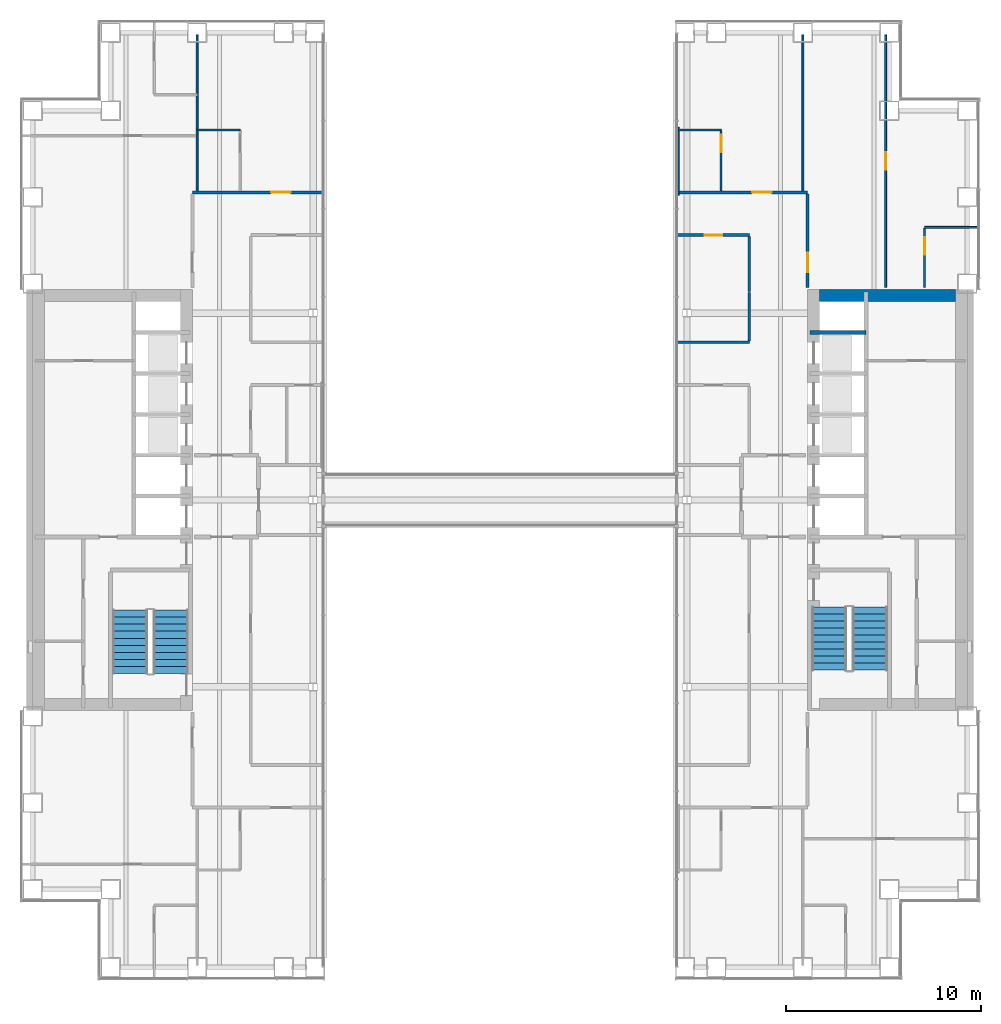
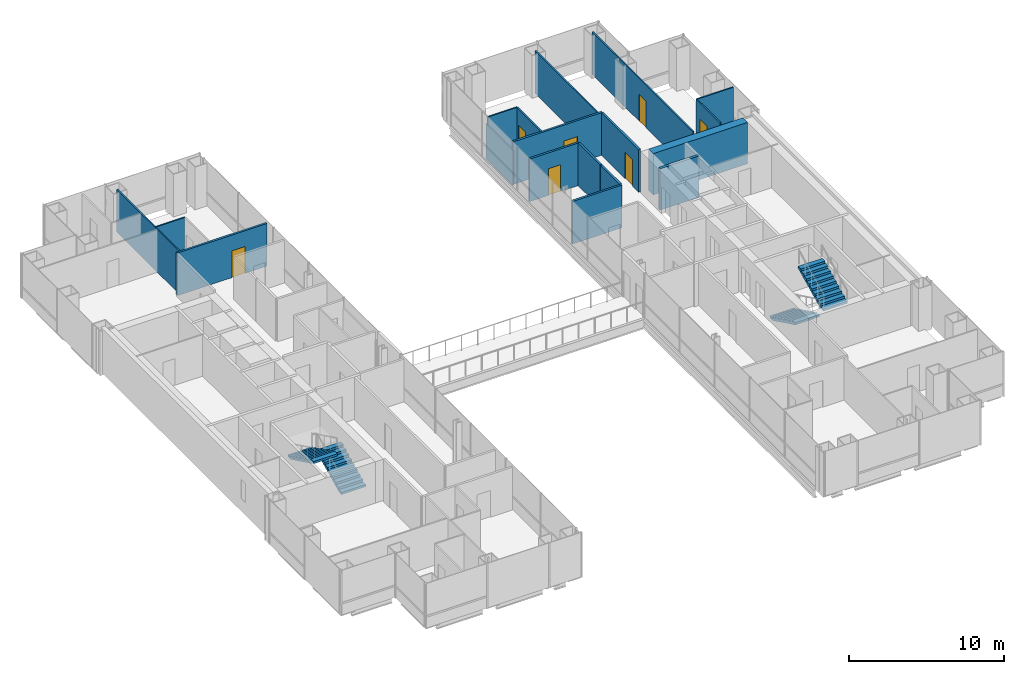
# One storey, part 16 of 18: 18 walls, 7 doors, 4 stair flights, 7 openings, 2 elements without a shape of their own.
"""IFC4 building model written with IfcOpenShell, lengths in metres."""

import ifcopenshell
import ifcopenshell.guid

model = None  # the IFC model being written
_history = None  # IfcOwnerHistory: only IFC2X3 demands one
_inside = {}  # id of a spatial element -> (the spatial element, [elements in it])
_under = {}  # id of a project, library or spatial element -> (it, [spatial elements below it])
_declared = {}  # id of a project -> (the project, [libraries it declares])
_typed = {}  # id of a type object -> (the type object, [elements of that type])
_made_of = {}  # id of a material, layer set ... -> (it, [elements and type objects made of it])


def new_model(schema):
    """Start an empty IFC model of exactly this schema.

    Asked for "IFC4X3", IfcOpenShell would pick the latest addendum, in which some entities
    have other attributes; the version numbers below select the first issue.
    IFC2X3 requires an IfcOwnerHistory on every rooted entity: one is made here for all.
    """
    global model, _history
    if schema == "IFC4X3":
        model = ifcopenshell.file(schema_version=(4, 3, 0, 0))
    else:
        model = ifcopenshell.file(schema=schema)
    _inside.clear()
    _under.clear()
    _declared.clear()
    _typed.clear()
    _made_of.clear()
    _history = None
    if model.schema == "IFC2X3":
        org = make("IfcOrganization", Name="unknown")
        user = make(
            "IfcPersonAndOrganization",
            ThePerson=make("IfcPerson", FamilyName="unknown"),
            TheOrganization=org,
        )
        app = make(
            "IfcApplication",
            ApplicationDeveloper=org,
            Version="unknown",
            ApplicationFullName="unknown",
            ApplicationIdentifier="unknown",
        )
        _history = make(
            "IfcOwnerHistory",
            OwningUser=user,
            OwningApplication=app,
            ChangeAction="ADDED",
            CreationDate=0,
        )
    return model


def make(cls, **values):
    """One entity of the class cls with the attributes given. An attribute that is None is left unset."""
    return model.create_entity(
        cls, **{name: value for name, value in values.items() if value is not None}
    )


def rooted(cls, **values):
    """An entity with a GlobalId (a new one), such as an element, a storey or a relation."""
    return make(cls, GlobalId=ifcopenshell.guid.new(), OwnerHistory=_history, **values)


def si_unit(unit_type, name, prefix=None):
    """IfcSIUnit, for example si_unit("LENGTHUNIT", "METRE", prefix="MILLI")."""
    return make("IfcSIUnit", UnitType=unit_type, Prefix=prefix, Name=name)


def assignment(units):
    """IfcUnitAssignment: the units of a project."""
    return None if units is None else make("IfcUnitAssignment", Units=units)


def point(xyz):
    """IfcCartesianPoint."""
    return None if xyz is None else make("IfcCartesianPoint", Coordinates=xyz)


def direction(xyz):
    """IfcDirection."""
    return None if xyz is None else make("IfcDirection", DirectionRatios=xyz)


def frame(location, z_axis=None, x_axis=None):
    """IfcAxis2Placement3D, a coordinate frame: its origin and axes. An axis left out is left unset."""
    return make(
        "IfcAxis2Placement3D",
        Location=point(location),
        Axis=direction(z_axis),
        RefDirection=direction(x_axis),
    )


def frame_2d(location, x_axis=None):
    """IfcAxis2Placement2D, a coordinate frame in the plane: its origin and x axis."""
    return make(
        "IfcAxis2Placement2D", Location=point(location), RefDirection=direction(x_axis)
    )


def origin():
    """The frame at (0, 0, 0) with its axes left unset."""
    return frame((0.0, 0.0, 0.0))


def place(relative_to, where):
    """IfcLocalPlacement: puts the frame where relative to a parent placement (None: the world)."""
    return make(
        "IfcLocalPlacement", PlacementRelTo=relative_to, RelativePlacement=where
    )


def context(
    kind, dimensions, precision=None, world=None, true_north=None, identifier=None
):
    """IfcGeometricRepresentationContext, for example the 3D "Model" context."""
    return make(
        "IfcGeometricRepresentationContext",
        ContextIdentifier=identifier,
        ContextType=kind,
        CoordinateSpaceDimension=dimensions,
        Precision=precision,
        WorldCoordinateSystem=world,
        TrueNorth=true_north,
    )


def subcontext(parent, identifier, kind, view, scale=None):
    """IfcGeometricRepresentationSubContext, for example "Body" below "Model"."""
    return make(
        "IfcGeometricRepresentationSubContext",
        ContextIdentifier=identifier,
        ContextType=kind,
        ParentContext=parent,
        TargetScale=scale,
        TargetView=view,
    )


def project(units=None, contexts=None):
    """IfcProject with its units and contexts."""
    return rooted(
        "IfcProject",
        Name="project",
        RepresentationContexts=contexts,
        UnitsInContext=assignment(units),
    )


def spatial(cls, under=None, at=None, **own):
    """A site, building, storey or space (cls), placed at a placement, below another one or the project."""
    s = rooted(cls, ObjectPlacement=at, **own)
    if under is not None:
        _under.setdefault(under.id(), (under, []))[1].append(s)
    return s


def polyline(points):
    """IfcPolyline through the points."""
    return make("IfcPolyline", Points=[point(p) for p in points])


def profile(cls, at=None, kind="AREA", **sizes):
    """A parametric profile (cls). Its sizes go by their IFC names, for example OverallWidth=200.0."""
    return make(cls, ProfileType=kind, Position=at, **sizes)


def rectangle(**sizes):
    """IfcRectangleProfileDef."""
    return profile("IfcRectangleProfileDef", **sizes)


def outline(outer, holes=None, kind="AREA"):
    """IfcArbitraryClosedProfileDef: a profile drawn as a closed curve; with holes, ...WithVoids."""
    if holes is None:
        return make("IfcArbitraryClosedProfileDef", ProfileType=kind, OuterCurve=outer)
    return make(
        "IfcArbitraryProfileDefWithVoids",
        ProfileType=kind,
        OuterCurve=outer,
        InnerCurves=holes,
    )


def extrude(swept, where, along, depth):
    """IfcExtrudedAreaSolid: the profile swept, set in the frame where, extruded along a direction by depth."""
    return make(
        "IfcExtrudedAreaSolid",
        SweptArea=swept,
        Position=where,
        ExtrudedDirection=direction(along),
        Depth=depth,
    )


def shape(context_of_items, identifier, shape_type, items):
    """IfcShapeRepresentation: the items that make up one representation, for example the "Body"."""
    return make(
        "IfcShapeRepresentation",
        ContextOfItems=context_of_items,
        RepresentationIdentifier=identifier,
        RepresentationType=shape_type,
        Items=items,
    )


def material(Name=None, Category=None):
    """IfcMaterial."""
    return make("IfcMaterial", Name=Name, Category=Category)


def layer(
    of_material, thickness, ventilated=None, Name=None, Category=None, Priority=None
):
    """IfcMaterialLayer: one layer of a wall or slab, of a material (None: an air gap)."""
    return make(
        "IfcMaterialLayer",
        Material=of_material,
        LayerThickness=thickness,
        IsVentilated=ventilated,
        Name=Name,
        Category=Category,
        Priority=Priority,
    )


def layer_set(layers, Name=None):
    """IfcMaterialLayerSet."""
    return make("IfcMaterialLayerSet", MaterialLayers=layers, LayerSetName=Name)


def made_of(thing, what):
    """Note that an element or type object is made of a material, layer set ...; save() writes the relation."""
    if what is not None:
        _made_of.setdefault(what.id(), (what, []))[1].append(thing)
    return thing


def type_object(cls, material=None, **own):
    """A type object (cls), such as IfcWallType, which elements share."""
    return made_of(rooted(cls, **own), material)


def element(
    cls,
    number,
    at=None,
    inside=None,
    cuts=None,
    type_object=None,
    material=None,
    context=None,
    identifier="Body",
    shape_type=None,
    held_by="IfcProductDefinitionShape",
    body=None,
    shapes=None,
    **own,
):
    """One element of the class cls, such as IfcWall. Its Tag is "e" and its number.

    at: its placement. inside: the storey or other place that contains it. cuts: it is an
    opening in that element (IfcRelVoidsElement). A single representation is given by context,
    identifier, shape_type and body (its items); several are given by shapes. held_by: the class
    of the entity that holds the representations. save() writes the other relations.
    """
    e = rooted(cls, Tag="e%d" % number, ObjectPlacement=at, **own)
    if body is not None:
        shapes = [shape(context, identifier, shape_type, body)]
    if shapes is not None:
        e.Representation = make(held_by, Representations=shapes)
    if inside is not None:
        _inside.setdefault(inside.id(), (inside, []))[1].append(e)
    if cuts is not None:
        rooted(
            "IfcRelVoidsElement", RelatingBuildingElement=cuts, RelatedOpeningElement=e
        )
    if type_object is not None:
        _typed.setdefault(type_object.id(), (type_object, []))[1].append(e)
    return made_of(e, material)


def fill(opening, filler):
    """IfcRelFillsElement: the door or window that sits in an opening."""
    return rooted(
        "IfcRelFillsElement",
        RelatingOpeningElement=opening,
        RelatedBuildingElement=filler,
    )


def aggregate(whole, parts):
    """IfcRelAggregates: a whole, such as a stair, and the parts it consists of."""
    return rooted("IfcRelAggregates", RelatingObject=whole, RelatedObjects=parts)


def save(model, path):
    """Write the relations noted so far, then the file.

    IfcRelAggregates (storeys below a building ...), IfcRelContainedInSpatialStructure (elements
    in a storey), IfcRelDefinesByType, IfcRelAssociatesMaterial and IfcRelDeclares: one each for
    every whole, place, type object, material and project.
    """
    for whole, parts in _under.values():
        aggregate(whole, parts)
    for where, things in _inside.values():
        rooted(
            "IfcRelContainedInSpatialStructure",
            RelatedElements=things,
            RelatingStructure=where,
        )
    for kind, things in _typed.values():
        rooted("IfcRelDefinesByType", RelatedObjects=things, RelatingType=kind)
    for what, things in _made_of.values():
        rooted("IfcRelAssociatesMaterial", RelatedObjects=things, RelatingMaterial=what)
    for by, libraries in _declared.values():
        rooted("IfcRelDeclares", RelatingContext=by, RelatedDefinitions=libraries)
    model.write(path)


model = new_model("IFC4")

# Units and contexts
model_context = context("Model", 3, precision=1e-05, world=origin(), true_north=direction((0.0, 1.0)))
body_context = subcontext(model_context, "Body", "Model", "MODEL_VIEW")
ifc_project = project(units=[si_unit("LENGTHUNIT", "METRE"), si_unit("AREAUNIT", "SQUARE_METRE"), si_unit("VOLUMEUNIT", "CUBIC_METRE"), si_unit("PLANEANGLEUNIT", "RADIAN"), si_unit("MASSUNIT", "GRAM", prefix="KILO")], contexts=[model_context])

# Site, building, storey
site_placement = place(None, origin())
site = spatial("IfcSite", under=ifc_project, at=site_placement, CompositionType="ELEMENT")
building_placement = place(site_placement, origin())
building = spatial("IfcBuilding", under=site, at=building_placement, Name="Cobrizo Arcos Hotel Tower", CompositionType="ELEMENT")
storey_placement = place(building_placement, frame((0.0, 0.0, 77.5)))
storey = spatial("IfcBuildingStorey", under=building, at=storey_placement, Name="L18", CompositionType="ELEMENT", Elevation=77.5)

# Wall
ifc_material_1 = material(Name="Gypsum board partition")
ifc_layer_1 = layer(ifc_material_1, 0.14990234375)
ifc_layer_set_1 = layer_set([ifc_layer_1], Name="Corridor wall EI 60 150")
wall_type_1 = type_object("IfcWallType", Name="Corridor wall EI 60 150", PredefinedType="PARTITIONING", material=ifc_layer_set_1)
wall_1_placement = place(storey_placement, frame((9.1201171875, 8.10009765625, 0.0), z_axis=(0.0, 0.0, 1.0), x_axis=(1.0, 0.0, 0.0)))
element("IfcWall", 1, at=wall_1_placement, inside=storey, type_object=wall_type_1, Name="Partition 038", PredefinedType="PARTITIONING", context=body_context, shape_type="SweptSolid", body=[
    extrude(rectangle(XDim=3.679931640625, YDim=0.14990234375, at=frame_2d((1.83984375, 0.0))), origin(), (0.0, 0.0, 1.0), 3.35009765625),
])

# Wall, opening, door
wall_2_placement = place(storey_placement, frame((9.1201171875, 13.60009765625, 0.0), z_axis=(0.0, 0.0, 1.0), x_axis=(1.0, 0.0, 0.0)))
wall_2 = element("IfcWall", 2, at=wall_2_placement, inside=storey, type_object=wall_type_1, Name="Partition 042", PredefinedType="PARTITIONING", context=body_context, shape_type="SweptSolid", body=[
    extrude(rectangle(XDim=3.679931640625, YDim=0.14990234375, at=frame_2d((1.83984375, 0.0))), origin(), (0.0, 0.0, 1.0), 3.35009765625),
])
opening_1_placement = place(wall_2_placement, frame((1.405029296875, 0.0, 0.0)))
opening_1 = element("IfcOpeningElement", 3, at=opening_1_placement, cuts=wall_2, Name="Opening RD-14", PredefinedType="OPENING", context=body_context, shape_type="SweptSolid", body=[
    extrude(rectangle(XDim=0.89990234375, YDim=2.10009765625, at=frame_2d((0.449951171875, 1.050048828125))), frame((0.0, 0.0869140625, 0.0), z_axis=(0.0, -1.0, 0.0), x_axis=(1.0, 0.0, 0.0)), (0.0, 0.0, 1.0), 0.173828125),
])
ifc_material_2 = material(Name="Timber door leaf", Category="wood")
door_type_1 = type_object("IfcDoorType", Name="Room door FD30 900x2100", OperationType="SINGLE_SWING_LEFT", PredefinedType="DOOR", material=ifc_material_2)
door_1_placement = place(opening_1_placement, origin())
door_1 = element("IfcDoor", 4, at=door_1_placement, inside=storey, type_object=door_type_1, Name="Door RD-14", OperationType="SINGLE_SWING_LEFT", OverallHeight=2.10009765625, OverallWidth=0.89990234375, PredefinedType="DOOR", context=body_context, shape_type="SweptSolid", body=[
    extrude(rectangle(XDim=0.89990234375, YDim=2.10009765625, at=frame_2d((0.449951171875, 1.050048828125))), frame((0.0, 0.02490234375, 0.0), z_axis=(0.0, -1.0, 0.0), x_axis=(1.0, 0.0, 0.0)), (0.0, 0.0, 1.0), 0.050048828125),
])
fill(opening_1, door_1)

wall_3_placement = place(storey_placement, frame((-15.800048828125, 15.800048828125, 0.0), z_axis=(0.0, 0.0, 1.0), x_axis=(1.0, 0.0, 0.0)))
wall_3 = element("IfcWall", 5, at=wall_3_placement, inside=storey, type_object=wall_type_1, Name="Partition 044", PredefinedType="PARTITIONING", context=body_context, shape_type="SweptSolid", body=[
    extrude(rectangle(XDim=6.679931640625, YDim=0.14990234375, at=frame_2d((3.33984375, 0.0))), origin(), (0.0, 0.0, 1.0), 3.35009765625),
])
opening_2_placement = place(wall_3_placement, frame((4.047119140625, 0.0, 0.0)))
opening_2 = element("IfcOpeningElement", 6, at=opening_2_placement, cuts=wall_3, Name="Opening GD-02", PredefinedType="OPENING", context=body_context, shape_type="SweptSolid", body=[
    extrude(rectangle(XDim=1.0, YDim=2.10009765625, at=frame_2d((0.5, 1.050048828125))), frame((0.0, 0.0869140625, 0.0), z_axis=(0.0, -1.0, 0.0), x_axis=(1.0, 0.0, 0.0)), (0.0, 0.0, 1.0), 0.173828125),
])
door_type_2 = type_object("IfcDoorType", Name="Guest room door FD30S 1000x2100", OperationType="SINGLE_SWING_LEFT", PredefinedType="DOOR", material=ifc_material_2)
door_2_placement = place(opening_2_placement, origin())
door_2 = element("IfcDoor", 7, at=door_2_placement, inside=storey, type_object=door_type_2, Name="Door GD-02", OperationType="SINGLE_SWING_LEFT", OverallHeight=2.10009765625, OverallWidth=1.0, PredefinedType="DOOR", context=body_context, shape_type="SweptSolid", body=[
    extrude(rectangle(XDim=1.0, YDim=2.10009765625, at=frame_2d((0.5, 1.050048828125))), frame((0.0, 0.02490234375, 0.0), z_axis=(0.0, -1.0, 0.0), x_axis=(1.0, 0.0, 0.0)), (0.0, 0.0, 1.0), 0.050048828125),
])
fill(opening_2, door_2)

wall_4_placement = place(storey_placement, frame((9.14990234375, 15.800048828125, 0.0), z_axis=(0.0, 0.0, 1.0), x_axis=(1.0, 0.0, 0.0)))
wall_4 = element("IfcWall", 8, at=wall_4_placement, inside=storey, type_object=wall_type_1, Name="Partition 045", PredefinedType="PARTITIONING", context=body_context, shape_type="SweptSolid", body=[
    extrude(rectangle(XDim=6.650146484375, YDim=0.14990234375, at=frame_2d((3.3251953125, 0.0))), origin(), (0.0, 0.0, 1.0), 3.35009765625),
])
opening_3_placement = place(wall_4_placement, frame((3.802978515625, 0.0, 0.0)))
opening_3 = element("IfcOpeningElement", 9, at=opening_3_placement, cuts=wall_4, Name="Opening GD-01", PredefinedType="OPENING", context=body_context, shape_type="SweptSolid", body=[
    extrude(rectangle(XDim=1.0, YDim=2.10009765625, at=frame_2d((0.5, 1.050048828125))), frame((0.0, 0.0869140625, 0.0), z_axis=(0.0, -1.0, 0.0), x_axis=(1.0, 0.0, 0.0)), (0.0, 0.0, 1.0), 0.173828125),
])
door_3_placement = place(opening_3_placement, origin())
door_3 = element("IfcDoor", 10, at=door_3_placement, inside=storey, type_object=door_type_2, Name="Door GD-01", OperationType="SINGLE_SWING_LEFT", OverallHeight=2.10009765625, OverallWidth=1.0, PredefinedType="DOOR", context=body_context, shape_type="SweptSolid", body=[
    extrude(rectangle(XDim=1.0, YDim=2.10009765625, at=frame_2d((0.5, 1.050048828125))), frame((0.0, 0.02490234375, 0.0), z_axis=(0.0, -1.0, 0.0), x_axis=(1.0, 0.0, 0.0)), (0.0, 0.0, 1.0), 0.050048828125),
])
fill(opening_3, door_3)

# Walls
wall_5_placement = place(storey_placement, frame((12.800048828125, 8.175048828125, 0.0), z_axis=(0.0, 0.0, 1.0), x_axis=(0.0, 1.0, 0.0)))
element("IfcWall", 11, at=wall_5_placement, inside=storey, type_object=wall_type_1, Name="Partition 075", PredefinedType="PARTITIONING", context=body_context, shape_type="SweptSolid", body=[
    extrude(rectangle(XDim=2.474853515625, YDim=0.14990234375, at=frame_2d((1.2373046875, 0.0))), origin(), (0.0, 0.0, 1.0), 3.35009765625),
])
wall_6_placement = place(storey_placement, frame((12.800048828125, 10.699951171875, 0.0), z_axis=(0.0, 0.0, 1.0), x_axis=(0.0, 1.0, 0.0)))
element("IfcWall", 12, at=wall_6_placement, inside=storey, type_object=wall_type_1, Name="Partition 076", PredefinedType="PARTITIONING", context=body_context, shape_type="SweptSolid", body=[
    extrude(rectangle(XDim=2.824951171875, YDim=0.14990234375, at=frame_2d((1.41259765625, 0.0))), origin(), (0.0, 0.0, 1.0), 3.35009765625),
])

# Wall, opening, door
wall_7_placement = place(storey_placement, frame((15.800048828125, 10.919921875, 0.0), z_axis=(0.0, 0.0, 1.0), x_axis=(0.0, 1.0, 0.0)))
wall_7 = element("IfcWall", 13, at=wall_7_placement, inside=storey, type_object=wall_type_1, Name="Partition 080", PredefinedType="PARTITIONING", context=body_context, shape_type="SweptSolid", body=[
    extrude(rectangle(XDim=4.80517578125, YDim=0.14990234375, at=frame_2d((2.402587890625, 0.0))), origin(), (0.0, 0.0, 1.0), 3.35009765625),
])
opening_4_placement = place(wall_7_placement, frame((0.780029296875, 0.0, 0.0)))
opening_4 = element("IfcOpeningElement", 14, at=opening_4_placement, cuts=wall_7, Name="Opening GD-08", PredefinedType="OPENING", context=body_context, shape_type="SweptSolid", body=[
    extrude(rectangle(XDim=1.0, YDim=2.10009765625, at=frame_2d((0.5, 1.050048828125))), frame((0.0, 0.0869140625, 0.0), z_axis=(0.0, -1.0, 0.0), x_axis=(1.0, 0.0, 0.0)), (0.0, 0.0, 1.0), 0.173828125),
])
door_4_placement = place(opening_4_placement, origin())
door_4 = element("IfcDoor", 15, at=door_4_placement, inside=storey, type_object=door_type_2, Name="Door GD-08", OperationType="SINGLE_SWING_RIGHT", OverallHeight=2.10009765625, OverallWidth=1.0, PredefinedType="DOOR", context=body_context, shape_type="SweptSolid", body=[
    extrude(rectangle(XDim=1.0, YDim=2.10009765625, at=frame_2d((0.5, 1.050048828125))), frame((0.0, 0.02490234375, 0.0), z_axis=(0.0, -1.0, 0.0), x_axis=(1.0, 0.0, 0.0)), (0.0, 0.0, 1.0), 0.050048828125),
])
fill(opening_4, door_4)

# Walls
ifc_layer_2 = layer(ifc_material_1, 0.10009765625)
ifc_layer_set_2 = layer_set([ifc_layer_2], Name="Partition EI 30 100")
wall_type_2 = type_object("IfcWallType", Name="Partition EI 30 100", PredefinedType="PARTITIONING", material=ifc_layer_set_2)
wall_8_placement = place(storey_placement, frame((21.800048828125, 14.0, 0.0), z_axis=(0.0, 0.0, 1.0), x_axis=(1.0, 0.0, 0.0)))
element("IfcWall", 16, at=wall_8_placement, inside=storey, type_object=wall_type_2, Name="Partition 043", PredefinedType="PARTITIONING", context=body_context, shape_type="SweptSolid", body=[
    extrude(rectangle(XDim=2.72998046875, YDim=0.10009765625, at=frame_2d((1.364990234375, 0.0))), origin(), (0.0, 0.0, 1.0), 3.35009765625),
])
wall_9_placement = place(storey_placement, frame((-15.550048828125, 19.0, 0.0), z_axis=(0.0, 0.0, 1.0), x_axis=(1.0, 0.0, 0.0)))
element("IfcWall", 17, at=wall_9_placement, inside=storey, type_object=wall_type_2, Name="Partition 047", PredefinedType="PARTITIONING", context=body_context, shape_type="SweptSolid", body=[
    extrude(rectangle(XDim=2.199951171875, YDim=0.10009765625, at=frame_2d((1.10009765625, 0.0))), origin(), (0.0, 0.0, 1.0), 3.35009765625),
])
wall_10_placement = place(storey_placement, frame((9.14990234375, 19.0, 0.0), z_axis=(0.0, 0.0, 1.0), x_axis=(1.0, 0.0, 0.0)))
element("IfcWall", 18, at=wall_10_placement, inside=storey, type_object=wall_type_2, Name="Partition 048", PredefinedType="PARTITIONING", context=body_context, shape_type="SweptSolid", body=[
    extrude(rectangle(XDim=2.2001953125, YDim=0.10009765625, at=frame_2d((1.10009765625, 0.0))), origin(), (0.0, 0.0, 1.0), 3.35009765625),
])
wall_11_placement = place(storey_placement, frame((-15.550048828125, 15.875, 0.0), z_axis=(0.0, 0.0, 1.0), x_axis=(0.0, 1.0, 0.0)))
element("IfcWall", 19, at=wall_11_placement, inside=storey, type_object=wall_type_2, Name="Partition 058", PredefinedType="PARTITIONING", context=body_context, shape_type="SweptSolid", body=[
    extrude(rectangle(XDim=8.0048828125, YDim=0.10009765625, at=frame_2d((4.00244140625, 0.0))), origin(), (0.0, 0.0, 1.0), 3.35009765625),
])
wall_12_placement = place(storey_placement, frame((9.14990234375, 15.659912109375, 0.0), z_axis=(0.0, 0.0, 1.0), x_axis=(0.0, 1.0, 0.0)))
element("IfcWall", 20, at=wall_12_placement, inside=storey, type_object=wall_type_2, Name="Partition 069", PredefinedType="PARTITIONING", context=body_context, shape_type="SweptSolid", body=[
    extrude(rectangle(XDim=3.47998046875, YDim=0.10009765625, at=frame_2d((1.739990234375, 0.0))), origin(), (0.0, 0.0, 1.0), 2.73291015625),
])

# Wall, opening, door
wall_13_placement = place(storey_placement, frame((11.35009765625, 15.875, 0.0), z_axis=(0.0, 0.0, 1.0), x_axis=(0.0, 1.0, 0.0)))
wall_13 = element("IfcWall", 21, at=wall_13_placement, inside=storey, type_object=wall_type_2, Name="Partition 071", PredefinedType="PARTITIONING", context=body_context, shape_type="SweptSolid", body=[
    extrude(rectangle(XDim=3.074951171875, YDim=0.10009765625, at=frame_2d((1.53759765625, 0.0))), origin(), (0.0, 0.0, 1.0), 3.35009765625),
])
opening_5_placement = place(wall_13_placement, frame((1.970947265625, 0.0, 0.0)))
opening_5 = element("IfcOpeningElement", 22, at=opening_5_placement, cuts=wall_13, Name="Opening ED-01", PredefinedType="OPENING", context=body_context, shape_type="SweptSolid", body=[
    extrude(rectangle(XDim=0.89990234375, YDim=2.10009765625, at=frame_2d((0.449951171875, 1.050048828125))), frame((0.0, 0.06201171875, 0.0), z_axis=(0.0, -1.0, 0.0), x_axis=(1.0, 0.0, 0.0)), (0.0, 0.0, 1.0), 0.1240234375),
])
door_type_3 = type_object("IfcDoorType", Name="En-suite door 900x2100", OperationType="SINGLE_SWING_LEFT", PredefinedType="DOOR", material=ifc_material_2)
door_5_placement = place(opening_5_placement, origin())
door_5 = element("IfcDoor", 23, at=door_5_placement, inside=storey, type_object=door_type_3, Name="Door ED-01", OperationType="SINGLE_SWING_RIGHT", OverallHeight=2.10009765625, OverallWidth=0.89990234375, PredefinedType="DOOR", context=body_context, shape_type="SweptSolid", body=[
    extrude(rectangle(XDim=0.89990234375, YDim=2.10009765625, at=frame_2d((0.449951171875, 1.050048828125))), frame((0.0, 0.02490234375, 0.0), z_axis=(0.0, -1.0, 0.0), x_axis=(1.0, 0.0, 0.0)), (0.0, 0.0, 1.0), 0.050048828125),
])
fill(opening_5, door_5)

# Wall
wall_14_placement = place(storey_placement, frame((15.550048828125, 15.875, 0.0), z_axis=(0.0, 0.0, 1.0), x_axis=(0.0, 1.0, 0.0)))
element("IfcWall", 24, at=wall_14_placement, inside=storey, type_object=wall_type_2, Name="Partition 078", PredefinedType="PARTITIONING", context=body_context, shape_type="SweptSolid", body=[
    extrude(rectangle(XDim=8.0048828125, YDim=0.10009765625, at=frame_2d((4.00244140625, 0.0))), origin(), (0.0, 0.0, 1.0), 3.35009765625),
])

# Wall, opening, door
wall_15_placement = place(storey_placement, frame((19.800048828125, 10.919921875, 0.0), z_axis=(0.0, 0.0, 1.0), x_axis=(0.0, 1.0, 0.0)))
wall_15 = element("IfcWall", 25, at=wall_15_placement, inside=storey, type_object=wall_type_2, Name="Partition 083", PredefinedType="PARTITIONING", context=body_context, shape_type="SweptSolid", body=[
    extrude(rectangle(XDim=12.9599609375, YDim=0.10009765625, at=frame_2d((6.47998046875, 0.0))), origin(), (0.0, 0.0, 1.0), 3.35009765625),
])
opening_6_placement = place(wall_15_placement, frame((6.030029296875, 0.0, 0.0)))
opening_6 = element("IfcOpeningElement", 26, at=opening_6_placement, cuts=wall_15, Name="Opening RD-12", PredefinedType="OPENING", context=body_context, shape_type="SweptSolid", body=[
    extrude(rectangle(XDim=0.89990234375, YDim=2.10009765625, at=frame_2d((0.449951171875, 1.050048828125))), frame((0.0, 0.06201171875, 0.0), z_axis=(0.0, -1.0, 0.0), x_axis=(1.0, 0.0, 0.0)), (0.0, 0.0, 1.0), 0.1240234375),
])
door_6_placement = place(opening_6_placement, origin())
door_6 = element("IfcDoor", 27, at=door_6_placement, inside=storey, type_object=door_type_1, Name="Door RD-12", OperationType="SINGLE_SWING_RIGHT", OverallHeight=2.10009765625, OverallWidth=0.89990234375, PredefinedType="DOOR", context=body_context, shape_type="SweptSolid", body=[
    extrude(rectangle(XDim=0.89990234375, YDim=2.10009765625, at=frame_2d((0.449951171875, 1.050048828125))), frame((0.0, 0.02490234375, 0.0), z_axis=(0.0, -1.0, 0.0), x_axis=(1.0, 0.0, 0.0)), (0.0, 0.0, 1.0), 0.050048828125),
])
fill(opening_6, door_6)

wall_16_placement = place(storey_placement, frame((21.800048828125, 10.919921875, 0.0), z_axis=(0.0, 0.0, 1.0), x_axis=(0.0, 1.0, 0.0)))
wall_16 = element("IfcWall", 28, at=wall_16_placement, inside=storey, type_object=wall_type_2, Name="Partition 086", PredefinedType="PARTITIONING", context=body_context, shape_type="SweptSolid", body=[
    extrude(rectangle(XDim=3.030029296875, YDim=0.10009765625, at=frame_2d((1.51513671875, 0.0))), origin(), (0.0, 0.0, 1.0), 3.35009765625),
])
opening_7_placement = place(wall_16_placement, frame((1.669921875, 0.0, 0.0)))
opening_7 = element("IfcOpeningElement", 29, at=opening_7_placement, cuts=wall_16, Name="Opening ED-08", PredefinedType="OPENING", context=body_context, shape_type="SweptSolid", body=[
    extrude(rectangle(XDim=0.89990234375, YDim=2.10009765625, at=frame_2d((0.449951171875, 1.050048828125))), frame((0.0, 0.06201171875, 0.0), z_axis=(0.0, -1.0, 0.0), x_axis=(1.0, 0.0, 0.0)), (0.0, 0.0, 1.0), 0.1240234375),
])
door_7_placement = place(opening_7_placement, origin())
door_7 = element("IfcDoor", 30, at=door_7_placement, inside=storey, type_object=door_type_3, Name="Door ED-08", OperationType="SINGLE_SWING_LEFT", OverallHeight=2.10009765625, OverallWidth=0.89990234375, PredefinedType="DOOR", context=body_context, shape_type="SweptSolid", body=[
    extrude(rectangle(XDim=0.89990234375, YDim=2.10009765625, at=frame_2d((0.449951171875, 1.050048828125))), frame((0.0, 0.02490234375, 0.0), z_axis=(0.0, -1.0, 0.0), x_axis=(1.0, 0.0, 0.0)), (0.0, 0.0, 1.0), 0.050048828125),
])
fill(opening_7, door_7)

# Walls
ifc_material_3 = material(Name="Concrete f'c 60 MPa", Category="concrete")
ifc_layer_3 = layer(ifc_material_3, 0.60009765625)
ifc_layer_set_3 = layer_set([ifc_layer_3], Name="RC core wall 600 f'c 60")
wall_type_3 = type_object("IfcWallType", Name="RC core wall 600 f'c 60", PredefinedType="SHEAR", material=ifc_layer_set_3)
wall_17_placement = place(storey_placement, frame((16.39990234375, 10.5, 0.0), z_axis=(0.0, 0.0, 1.0), x_axis=(1.0, 0.0, 0.0)))
element("IfcWall", 31, at=wall_17_placement, inside=storey, type_object=wall_type_3, Name="Core wall CW1, east core, north end, L18", PredefinedType="SHEAR", context=body_context, shape_type="SweptSolid", body=[
    extrude(rectangle(XDim=7.0, YDim=0.60009765625, at=frame_2d((3.5, 0.0))), origin(), (0.0, 0.0, 1.0), 3.25),
])
ifc_layer_4 = layer(ifc_material_1, 0.199951171875)
ifc_layer_set_4 = layer_set([ifc_layer_4], Name="Shaft wall EI 120 200")
wall_type_4 = type_object("IfcWallType", Name="Shaft wall EI 120 200", PredefinedType="PARTITIONING", material=ifc_layer_set_4)
wall_18_placement = place(storey_placement, frame((15.919921875, 8.60009765625, 0.0), z_axis=(0.0, 0.0, 1.0), x_axis=(1.0, 0.0, 0.0)))
element("IfcWall", 32, at=wall_18_placement, inside=storey, type_object=wall_type_4, Name="Partition 040", PredefinedType="PARTITIONING", context=body_context, shape_type="SweptSolid", body=[
    extrude(rectangle(XDim=2.880126953125, YDim=0.199951171875, at=frame_2d((1.43994140625, 0.0))), origin(), (0.0, 0.0, 1.0), 3.25),
])

# Stair, stair flights
ifc_material_4 = material(Name="Concrete f'c 40 MPa", Category="concrete")
stair_type = type_object("IfcStairType", Name="Exit stair", PredefinedType="HALF_TURN_STAIR", material=ifc_material_4)
stair_1_placement = place(storey_placement, origin())
stair_1 = element("IfcStair", 33, at=stair_1_placement, inside=storey, type_object=stair_type, Name="L18 Exit stair ST-W", PredefinedType="HALF_TURN_STAIR")
stair_flight_type = type_object("IfcStairFlightType", Name="Exit stair flight", PredefinedType="STRAIGHT", material=ifc_material_4)
stair_flight_1_placement = place(storey_placement, frame((-16.89990234375, -8.89990234375, 0.0), z_axis=(0.0, 0.0, 1.0), x_axis=(0.0, 1.0, 0.0)))
stair_flight_1 = element("IfcStairFlight", 34, at=stair_flight_1_placement, type_object=stair_flight_type, Name="ST-W flight 1", NumberOfRisers=10, NumberOfTreads=9, PredefinedType="STRAIGHT", RiserHeight=0.175, TreadLength=0.36, context=body_context, shape_type="SweptSolid", body=[
    extrude(outline(polyline([(0.0, 0.0), (0.0, 0.175048828125), (0.360107421875, 0.175048828125), (0.360107421875, 0.35009765625), (0.719970703125, 0.35009765625), (0.719970703125, 0.52490234375), (1.080078125, 0.52490234375), (1.080078125, 0.699951171875), (1.43994140625, 0.699951171875), (1.43994140625, 0.875), (1.800048828125, 0.875), (1.800048828125, 1.050048828125), (2.159912109375, 1.050048828125), (2.159912109375, 1.22509765625), (2.52001953125, 1.22509765625), (2.52001953125, 1.39990234375), (2.8798828125, 1.39990234375), (2.8798828125, 1.574951171875), (3.239990234375, 1.574951171875), (3.239990234375, 1.75), (3.239990234375, 1.408203125), (0.3427734375, 0.0), (0.0, 0.0)])), frame((0.0, 0.89990234375, 0.0), z_axis=(0.0, -1.0, 0.0), x_axis=(1.0, 0.0, 0.0)), (0.0, 0.0, 1.0), 1.800048828125),
])
stair_flight_2_placement = place(storey_placement, frame((-19.0, -5.659912109375, 1.75), z_axis=(0.0, 0.0, 1.0), x_axis=(0.0, -1.0, 0.0)))
stair_flight_2 = element("IfcStairFlight", 35, at=stair_flight_2_placement, type_object=stair_flight_type, Name="ST-W flight 2", NumberOfRisers=10, NumberOfTreads=9, PredefinedType="STRAIGHT", RiserHeight=0.175, TreadLength=0.36, context=body_context, shape_type="SweptSolid", body=[
    extrude(outline(polyline([(0.0, 0.0), (0.0, 0.175048828125), (0.360107421875, 0.175048828125), (0.360107421875, 0.35009765625), (0.719970703125, 0.35009765625), (0.719970703125, 0.52490234375), (1.080078125, 0.52490234375), (1.080078125, 0.699951171875), (1.43994140625, 0.699951171875), (1.43994140625, 0.875), (1.800048828125, 0.875), (1.800048828125, 1.050048828125), (2.159912109375, 1.050048828125), (2.159912109375, 1.22509765625), (2.52001953125, 1.22509765625), (2.52001953125, 1.39990234375), (2.8798828125, 1.39990234375), (2.8798828125, 1.574951171875), (3.239990234375, 1.574951171875), (3.239990234375, 1.75), (3.239990234375, 1.408203125), (0.3427734375, 0.0), (0.0, 0.0)])), frame((0.0, 0.89990234375, 0.0), z_axis=(0.0, -1.0, 0.0), x_axis=(1.0, 0.0, 0.0)), (0.0, 0.0, 1.0), 1.800048828125),
])
aggregate(stair_1, [stair_flight_1, stair_flight_2])

stair_2_placement = place(storey_placement, origin())
stair_2 = element("IfcStair", 36, at=stair_2_placement, inside=storey, type_object=stair_type, Name="L18 Exit stair ST-E", PredefinedType="HALF_TURN_STAIR")
stair_flight_3_placement = place(storey_placement, frame((16.89990234375, -5.5, 0.0), z_axis=(0.0, 0.0, 1.0), x_axis=(0.0, -1.0, 0.0)))
stair_flight_3 = element("IfcStairFlight", 37, at=stair_flight_3_placement, type_object=stair_flight_type, Name="ST-E flight 1", NumberOfRisers=10, NumberOfTreads=9, PredefinedType="STRAIGHT", RiserHeight=0.175, TreadLength=0.36, context=body_context, shape_type="SweptSolid", body=[
    extrude(outline(polyline([(0.0, 0.0), (0.0, 0.175048828125), (0.360107421875, 0.175048828125), (0.360107421875, 0.35009765625), (0.719970703125, 0.35009765625), (0.719970703125, 0.52490234375), (1.080078125, 0.52490234375), (1.080078125, 0.699951171875), (1.43994140625, 0.699951171875), (1.43994140625, 0.875), (1.800048828125, 0.875), (1.800048828125, 1.050048828125), (2.159912109375, 1.050048828125), (2.159912109375, 1.22509765625), (2.52001953125, 1.22509765625), (2.52001953125, 1.39990234375), (2.8798828125, 1.39990234375), (2.8798828125, 1.574951171875), (3.239990234375, 1.574951171875), (3.239990234375, 1.75), (3.239990234375, 1.408203125), (0.3427734375, 0.0), (0.0, 0.0)])), frame((0.0, 0.89990234375, 0.0), z_axis=(0.0, -1.0, 0.0), x_axis=(1.0, 0.0, 0.0)), (0.0, 0.0, 1.0), 1.800048828125),
])
stair_flight_4_placement = place(storey_placement, frame((19.0, -8.739990234375, 1.75), z_axis=(0.0, 0.0, 1.0), x_axis=(0.0, 1.0, 0.0)))
stair_flight_4 = element("IfcStairFlight", 38, at=stair_flight_4_placement, type_object=stair_flight_type, Name="ST-E flight 2", NumberOfRisers=10, NumberOfTreads=9, PredefinedType="STRAIGHT", RiserHeight=0.175, TreadLength=0.36, context=body_context, shape_type="SweptSolid", body=[
    extrude(outline(polyline([(0.0, 0.0), (0.0, 0.175048828125), (0.360107421875, 0.175048828125), (0.360107421875, 0.35009765625), (0.719970703125, 0.35009765625), (0.719970703125, 0.52490234375), (1.080078125, 0.52490234375), (1.080078125, 0.699951171875), (1.43994140625, 0.699951171875), (1.43994140625, 0.875), (1.800048828125, 0.875), (1.800048828125, 1.050048828125), (2.159912109375, 1.050048828125), (2.159912109375, 1.22509765625), (2.52001953125, 1.22509765625), (2.52001953125, 1.39990234375), (2.8798828125, 1.39990234375), (2.8798828125, 1.574951171875), (3.239990234375, 1.574951171875), (3.239990234375, 1.75), (3.239990234375, 1.408203125), (0.3427734375, 0.0), (0.0, 0.0)])), frame((0.0, 0.89990234375, 0.0), z_axis=(0.0, -1.0, 0.0), x_axis=(1.0, 0.0, 0.0)), (0.0, 0.0, 1.0), 1.800048828125),
])
aggregate(stair_2, [stair_flight_3, stair_flight_4])

save(model, "model.ifc")
